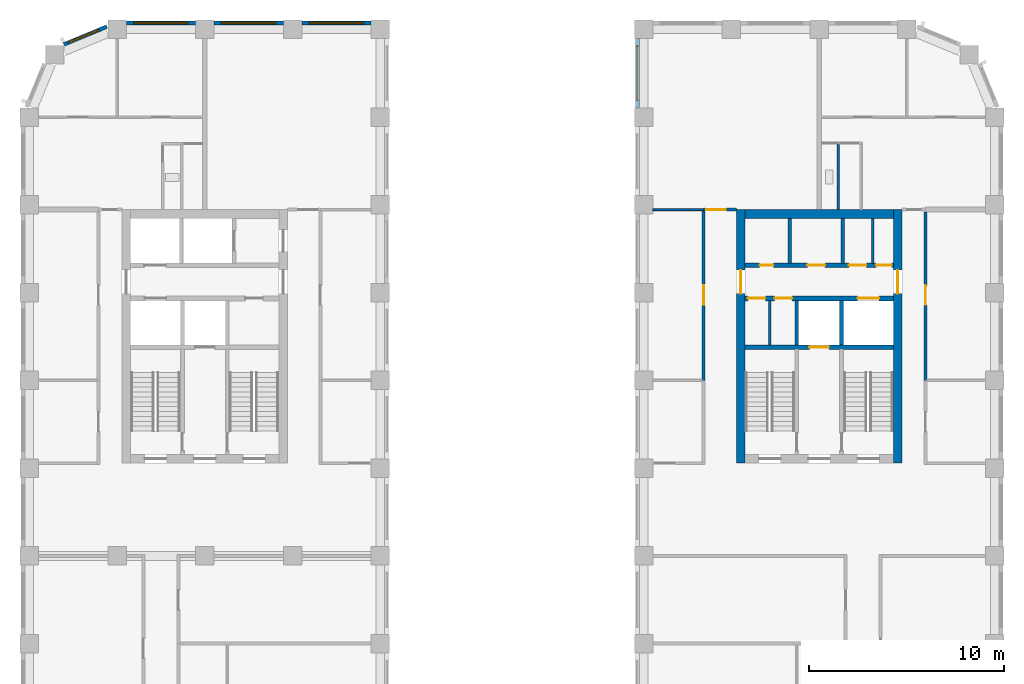
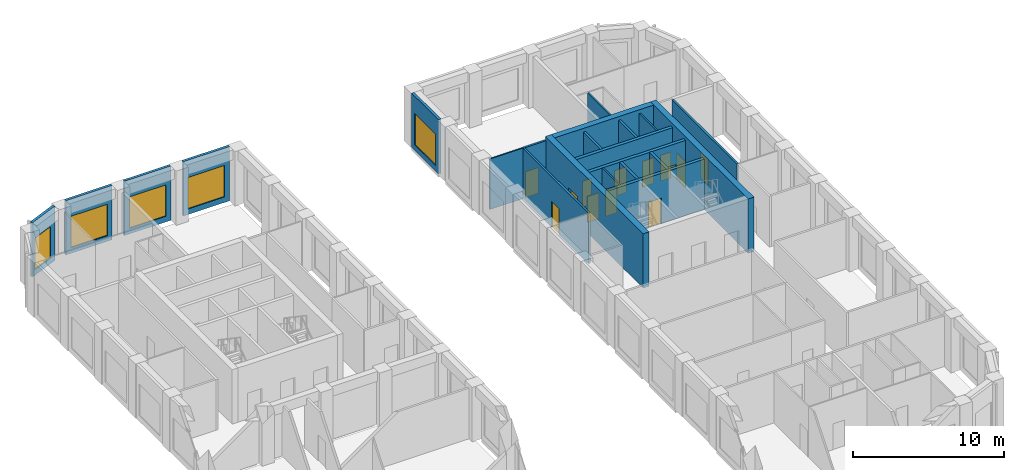
# One storey, part 8 of 13: 22 walls, 13 doors, 5 windows, 18 openings.
"""IFC4 building model written with IfcOpenShell, lengths in metres."""

from ifc_helpers import new_model, si_unit, direction, frame, frame_2d, origin, place, context, subcontext, project, spatial, rectangle, extrude, material, layer, layer_set, type_object, element, fill, save


model = new_model("IFC4")

# Units and contexts
model_context = context("Model", 3, precision=1e-05, world=origin(), true_north=direction((0.0, 1.0)))
body_context = subcontext(model_context, "Body", "Model", "MODEL_VIEW")
ifc_project = project(units=[si_unit("LENGTHUNIT", "METRE"), si_unit("AREAUNIT", "SQUARE_METRE"), si_unit("VOLUMEUNIT", "CUBIC_METRE"), si_unit("PLANEANGLEUNIT", "RADIAN"), si_unit("MASSUNIT", "GRAM", prefix="KILO")], contexts=[model_context])

# Site, building, storey
site_placement = place(None, origin())
site = spatial("IfcSite", under=ifc_project, at=site_placement, CompositionType="ELEMENT")
building_placement = place(site_placement, origin())
building = spatial("IfcBuilding", under=site, at=building_placement, Name="Girih Gate Residences", CompositionType="ELEMENT")
storey_placement = place(building_placement, frame((0.0, 0.0, 150.60009765625)))
storey = spatial("IfcBuildingStorey", under=building, at=storey_placement, Name="L42", CompositionType="ELEMENT", Elevation=150.60009765625)

# Wall, opening, door
ifc_material_1 = material(Name="Gypsum board on steel studs", Category="steel")
ifc_layer_1 = layer(ifc_material_1, 0.14990234375)
ifc_layer_set_1 = layer_set([ifc_layer_1], Name="Compartment wall 150 mm")
wall_type_1 = type_object("IfcWallType", Name="Compartment wall 150 mm", PredefinedType="PARTITIONING", material=ifc_layer_set_1)
wall_1_placement = place(storey_placement, frame((34.574951171875, 40.25, 0.0), z_axis=(0.0, 0.0, 1.0), x_axis=(1.0, 0.0, 0.0)))
wall_1 = element("IfcWall", 1, at=wall_1_placement, inside=storey, type_object=wall_type_1, Name="L42 partition", PredefinedType="PARTITIONING", context=body_context, shape_type="SweptSolid", body=[
    extrude(rectangle(XDim=1.675048828125, YDim=0.14990234375, at=frame_2d((0.83740234375, 0.0))), origin(), (0.0, 0.0, 1.0), 4.099853515625),
])
opening_1_placement = place(wall_1_placement, frame((0.1298828125, 0.0, 0.0)))
opening_1 = element("IfcOpeningElement", 2, at=opening_1_placement, cuts=wall_1, Name="Opening A42-033", PredefinedType="OPENING", context=body_context, shape_type="SweptSolid", body=[
    extrude(rectangle(XDim=1.0, YDim=2.10009765625, at=frame_2d((0.5, 1.050048828125))), frame((0.0, 0.0849609375, 0.0), z_axis=(0.0, -1.0, 0.0), x_axis=(1.0, 0.0, 0.0)), (0.0, 0.0, 1.0), 0.169921875),
])
ifc_material_2 = material(Name="Timber, fire-rated core", Category="wood")
door_type_1 = type_object("IfcDoorType", Name="Amenity room door 1000x2100 FD30S", OperationType="NOTDEFINED", PredefinedType="DOOR", material=ifc_material_2)
door_1_placement = place(opening_1_placement, origin())
door_1 = element("IfcDoor", 3, at=door_1_placement, inside=storey, type_object=door_type_1, Name="Door A42-033", OperationType="SINGLE_SWING_LEFT", OverallHeight=2.10009765625, OverallWidth=1.0, PredefinedType="DOOR", context=body_context, shape_type="SweptSolid", body=[
    extrude(rectangle(XDim=1.0, YDim=2.10009765625, at=frame_2d((0.5, 1.050048828125))), frame((0.0, 0.02490234375, 0.0), z_axis=(0.0, -1.0, 0.0), x_axis=(1.0, 0.0, 0.0)), (0.0, 0.0, 1.0), 0.050048828125),
])
fill(opening_1, door_1)

wall_2_placement = place(storey_placement, frame((34.574951171875, 31.5, 0.0), z_axis=(0.0, 0.0, 1.0), x_axis=(0.0, 1.0, 0.0)))
wall_2 = element("IfcWall", 4, at=wall_2_placement, inside=storey, type_object=wall_type_1, Name="L42 partition", PredefinedType="PARTITIONING", context=body_context, shape_type="SweptSolid", body=[
    extrude(rectangle(XDim=8.675048828125, YDim=0.14990234375, at=frame_2d((4.33740234375, 0.0))), origin(), (0.0, 0.0, 1.0), 4.099853515625),
])
opening_2_placement = place(wall_2_placement, frame((3.875, 0.0, 0.0)))
opening_2 = element("IfcOpeningElement", 5, at=opening_2_placement, cuts=wall_2, Name="Opening A42-036", PredefinedType="OPENING", context=body_context, shape_type="SweptSolid", body=[
    extrude(rectangle(XDim=1.0, YDim=2.10009765625, at=frame_2d((0.5, 1.050048828125))), frame((0.0, 0.0849609375, 0.0), z_axis=(0.0, -1.0, 0.0), x_axis=(1.0, 0.0, 0.0)), (0.0, 0.0, 1.0), 0.169921875),
])
door_2_placement = place(opening_2_placement, origin())
door_2 = element("IfcDoor", 6, at=door_2_placement, inside=storey, type_object=door_type_1, Name="Door A42-036", OperationType="SINGLE_SWING_RIGHT", OverallHeight=2.10009765625, OverallWidth=1.0, PredefinedType="DOOR", context=body_context, shape_type="SweptSolid", body=[
    extrude(rectangle(XDim=1.0, YDim=2.10009765625, at=frame_2d((0.5, 1.050048828125))), frame((0.0, 0.02490234375, 0.0), z_axis=(0.0, -1.0, 0.0), x_axis=(1.0, 0.0, 0.0)), (0.0, 0.0, 1.0), 0.050048828125),
])
fill(opening_2, door_2)

wall_3_placement = place(storey_placement, frame((45.949951171875, 40.125, 0.0), z_axis=(0.0, 0.0, 1.0), x_axis=(0.0, -1.0, 0.0)))
wall_3 = element("IfcWall", 7, at=wall_3_placement, inside=storey, type_object=wall_type_1, Name="L42 partition", PredefinedType="PARTITIONING", context=body_context, shape_type="SweptSolid", body=[
    extrude(rectangle(XDim=8.625, YDim=0.14990234375, at=frame_2d((4.3125, 0.0))), origin(), (0.0, 0.0, 1.0), 4.099853515625),
])
opening_3_placement = place(wall_3_placement, frame((3.75, 0.0, 0.0)))
opening_3 = element("IfcOpeningElement", 8, at=opening_3_placement, cuts=wall_3, Name="Opening A42-038", PredefinedType="OPENING", context=body_context, shape_type="SweptSolid", body=[
    extrude(rectangle(XDim=1.0, YDim=2.10009765625, at=frame_2d((0.5, 1.050048828125))), frame((0.0, 0.0849609375, 0.0), z_axis=(0.0, -1.0, 0.0), x_axis=(1.0, 0.0, 0.0)), (0.0, 0.0, 1.0), 0.169921875),
])
door_3_placement = place(opening_3_placement, origin())
door_3 = element("IfcDoor", 9, at=door_3_placement, inside=storey, type_object=door_type_1, Name="Door A42-038", OperationType="SINGLE_SWING_LEFT", OverallHeight=2.10009765625, OverallWidth=1.0, PredefinedType="DOOR", context=body_context, shape_type="SweptSolid", body=[
    extrude(rectangle(XDim=1.0, YDim=2.10009765625, at=frame_2d((0.5, 1.050048828125))), frame((0.0, 0.02490234375, 0.0), z_axis=(0.0, -1.0, 0.0), x_axis=(1.0, 0.0, 0.0)), (0.0, 0.0, 1.0), 0.050048828125),
])
fill(opening_3, door_3)

# Wall
ifc_material_3 = material(Name="Concrete C60/75", Category="concrete")
ifc_layer_2 = layer(ifc_material_3, 0.449951171875)
ifc_layer_set_2 = layer_set([ifc_layer_2], Name="Core wall RC 450 Concrete C60/75")
wall_type_2 = type_object("IfcWallType", Name="Core wall RC 450 Concrete C60/75", PredefinedType="SOLIDWALL", material=ifc_layer_set_2)
wall_4_placement = place(storey_placement, frame((36.699951171875, 40.02490234375, 0.0), z_axis=(0.0, 0.0, 1.0), x_axis=(1.0, 0.0, 0.0)))
element("IfcWall", 10, at=wall_4_placement, inside=storey, type_object=wall_type_2, Name="Core wall E-N L42", PredefinedType="SOLIDWALL", context=body_context, shape_type="SweptSolid", body=[
    extrude(rectangle(XDim=7.60009765625, YDim=0.449951171875, at=frame_2d((3.800048828125, 0.0))), origin(), (0.0, 0.0, 1.0), 4.39990234375),
])

# Wall, opening, door
wall_5_placement = place(storey_placement, frame((36.47509765625, 27.25, 0.0), z_axis=(0.0, 0.0, 1.0), x_axis=(0.0, 1.0, 0.0)))
wall_5 = element("IfcWall", 11, at=wall_5_placement, inside=storey, type_object=wall_type_2, Name="Core wall E-W L42", PredefinedType="SOLIDWALL", context=body_context, shape_type="SweptSolid", body=[
    extrude(rectangle(XDim=13.0, YDim=0.449951171875, at=frame_2d((6.5, 0.0))), origin(), (0.0, 0.0, 1.0), 4.39990234375),
])
opening_4_placement = place(wall_5_placement, frame((8.699951171875, 0.0, 0.0)))
opening_4 = element("IfcOpeningElement", 12, at=opening_4_placement, cuts=wall_5, Name="Opening D-L42-E-014", PredefinedType="OPENING", context=body_context, shape_type="SweptSolid", body=[
    extrude(rectangle(XDim=1.199951171875, YDim=2.10009765625, at=frame_2d((0.60009765625, 1.050048828125))), frame((0.0, 0.23486328125, 0.0), z_axis=(0.0, -1.0, 0.0), x_axis=(1.0, 0.0, 0.0)), (0.0, 0.0, 1.0), 0.469970703125),
])
ifc_material_4 = material(Name="Painted steel, fire-resisting", Category="steel")
door_type_2 = type_object("IfcDoorType", Name="Fire door 1200x2100", OperationType="SINGLE_SWING_LEFT", PredefinedType="DOOR", material=ifc_material_4)
door_4_placement = place(opening_4_placement, origin())
door_4 = element("IfcDoor", 13, at=door_4_placement, inside=storey, type_object=door_type_2, Name="L42 E core door ll-w", OperationType="SINGLE_SWING_LEFT", OverallHeight=2.10009765625, OverallWidth=1.199951171875, PredefinedType="DOOR", context=body_context, shape_type="SweptSolid", body=[
    extrude(rectangle(XDim=1.199951171875, YDim=2.10009765625, at=frame_2d((0.60009765625, 1.050048828125))), frame((0.0, 0.02490234375, 0.0), z_axis=(0.0, -1.0, 0.0), x_axis=(1.0, 0.0, 0.0)), (0.0, 0.0, 1.0), 0.050048828125),
])
fill(opening_4, door_4)

wall_6_placement = place(storey_placement, frame((44.52490234375, 27.25, 0.0), z_axis=(0.0, 0.0, 1.0), x_axis=(0.0, 1.0, 0.0)))
wall_6 = element("IfcWall", 14, at=wall_6_placement, inside=storey, type_object=wall_type_2, Name="Core wall E-E L42", PredefinedType="SOLIDWALL", context=body_context, shape_type="SweptSolid", body=[
    extrude(rectangle(XDim=13.0, YDim=0.449951171875, at=frame_2d((6.5, 0.0))), origin(), (0.0, 0.0, 1.0), 4.39990234375),
])
opening_5_placement = place(wall_6_placement, frame((8.699951171875, 0.0, 0.0)))
opening_5 = element("IfcOpeningElement", 15, at=opening_5_placement, cuts=wall_6, Name="Opening D-L42-E-015", PredefinedType="OPENING", context=body_context, shape_type="SweptSolid", body=[
    extrude(rectangle(XDim=1.199951171875, YDim=2.10009765625, at=frame_2d((0.60009765625, 1.050048828125))), frame((0.0, 0.23486328125, 0.0), z_axis=(0.0, -1.0, 0.0), x_axis=(1.0, 0.0, 0.0)), (0.0, 0.0, 1.0), 0.469970703125),
])
door_5_placement = place(opening_5_placement, origin())
door_5 = element("IfcDoor", 16, at=door_5_placement, inside=storey, type_object=door_type_2, Name="L42 E core door ll-e", OperationType="SINGLE_SWING_LEFT", OverallHeight=2.10009765625, OverallWidth=1.199951171875, PredefinedType="DOOR", context=body_context, shape_type="SweptSolid", body=[
    extrude(rectangle(XDim=1.199951171875, YDim=2.10009765625, at=frame_2d((0.60009765625, 1.050048828125))), frame((0.0, 0.02490234375, 0.0), z_axis=(0.0, -1.0, 0.0), x_axis=(1.0, 0.0, 0.0)), (0.0, 0.0, 1.0), 0.050048828125),
])
fill(opening_5, door_5)

ifc_material_5 = material(Name="Concrete C40/50", Category="concrete")
ifc_layer_3 = layer(ifc_material_5, 0.25)
ifc_layer_set_3 = layer_set([ifc_layer_3], Name="Lift shaft wall 250")
wall_type_3 = type_object("IfcWallType", Name="Lift shaft wall 250", PredefinedType="SOLIDWALL", material=ifc_layer_set_3)
wall_7_placement = place(storey_placement, frame((36.699951171875, 33.199951171875, 0.0), z_axis=(0.0, 0.0, 1.0), x_axis=(1.0, 0.0, 0.0)))
wall_7 = element("IfcWall", 17, at=wall_7_placement, inside=storey, type_object=wall_type_3, Name="L42 E core wall H1", PredefinedType="SOLIDWALL", context=body_context, shape_type="SweptSolid", body=[
    extrude(rectangle(XDim=7.60009765625, YDim=0.25, at=frame_2d((3.800048828125, 0.0))), origin(), (0.0, 0.0, 1.0), 4.099853515625),
])
opening_6_placement = place(wall_7_placement, frame((3.300048828125, 0.0, 0.0)))
opening_6 = element("IfcOpeningElement", 18, at=opening_6_placement, cuts=wall_7, Name="Opening D-L42-E-004", PredefinedType="OPENING", context=body_context, shape_type="SweptSolid", body=[
    extrude(rectangle(XDim=1.0, YDim=2.10009765625, at=frame_2d((0.5, 1.050048828125))), frame((0.0, 0.135009765625, 0.0), z_axis=(0.0, -1.0, 0.0), x_axis=(1.0, 0.0, 0.0)), (0.0, 0.0, 1.0), 0.27001953125),
])
ifc_material_6 = material(Name="Stainless steel, fire-resisting", Category="steel")
door_type_3 = type_object("IfcDoorType", Name="Firefighting lift landing door 1000x2100", OperationType="SLIDING_TO_LEFT", PredefinedType="DOOR", material=ifc_material_6)
door_6_placement = place(opening_6_placement, origin())
door_6 = element("IfcDoor", 19, at=door_6_placement, inside=storey, type_object=door_type_3, Name="L42 lift FF-E landing door", OperationType="SLIDING_TO_LEFT", OverallHeight=2.10009765625, OverallWidth=1.0, PredefinedType="DOOR", context=body_context, shape_type="SweptSolid", body=[
    extrude(rectangle(XDim=1.0, YDim=2.10009765625, at=frame_2d((0.5, 1.050048828125))), frame((0.0, 0.02490234375, 0.0), z_axis=(0.0, -1.0, 0.0), x_axis=(1.0, 0.0, 0.0)), (0.0, 0.0, 1.0), 0.050048828125),
])
fill(opening_6, door_6)

# Wall, openings, doors
wall_8_placement = place(storey_placement, frame((36.699951171875, 35.699951171875, 0.0), z_axis=(0.0, 0.0, 1.0), x_axis=(1.0, 0.0, 0.0)))
wall_8 = element("IfcWall", 20, at=wall_8_placement, inside=storey, type_object=wall_type_3, Name="L42 E core wall H2", PredefinedType="SOLIDWALL", context=body_context, shape_type="SweptSolid", body=[
    extrude(rectangle(XDim=7.60009765625, YDim=0.25, at=frame_2d((3.800048828125, 0.0))), origin(), (0.0, 0.0, 1.0), 4.099853515625),
])
opening_7_placement = place(wall_8_placement, frame((5.77490234375, 0.0, 0.0)))
opening_7 = element("IfcOpeningElement", 21, at=opening_7_placement, cuts=wall_8, Name="Opening D-L42-E-003", PredefinedType="OPENING", context=body_context, shape_type="SweptSolid", body=[
    extrude(rectangle(XDim=1.10009765625, YDim=2.39990234375, at=frame_2d((0.550048828125, 1.199951171875))), frame((0.0, 0.135009765625, 0.0), z_axis=(0.0, -1.0, 0.0), x_axis=(1.0, 0.0, 0.0)), (0.0, 0.0, 1.0), 0.27001953125),
])
opening_8_placement = place(wall_8_placement, frame((1.512451171875, 0.0, 0.0)))
opening_8 = element("IfcOpeningElement", 22, at=opening_8_placement, cuts=wall_8, Name="Opening D-L42-E-006", PredefinedType="OPENING", context=body_context, shape_type="SweptSolid", body=[
    extrude(rectangle(XDim=0.89990234375, YDim=2.10009765625, at=frame_2d((0.449951171875, 1.050048828125))), frame((0.0, 0.135009765625, 0.0), z_axis=(0.0, -1.0, 0.0), x_axis=(1.0, 0.0, 0.0)), (0.0, 0.0, 1.0), 0.27001953125),
])
opening_9_placement = place(wall_8_placement, frame((0.137451171875, 0.0, 0.0)))
opening_9 = element("IfcOpeningElement", 23, at=opening_9_placement, cuts=wall_8, Name="Opening D-L42-E-007", PredefinedType="OPENING", context=body_context, shape_type="SweptSolid", body=[
    extrude(rectangle(XDim=0.89990234375, YDim=2.10009765625, at=frame_2d((0.449951171875, 1.050048828125))), frame((0.0, 0.135009765625, 0.0), z_axis=(0.0, -1.0, 0.0), x_axis=(1.0, 0.0, 0.0)), (0.0, 0.0, 1.0), 0.27001953125),
])
door_type_4 = type_object("IfcDoorType", Name="Fire door 900x2100", OperationType="SINGLE_SWING_LEFT", PredefinedType="DOOR", material=ifc_material_4)
door_7_placement = place(opening_8_placement, origin())
door_7 = element("IfcDoor", 24, at=door_7_placement, inside=storey, type_object=door_type_4, Name="L42 E comms room door", OperationType="SINGLE_SWING_LEFT", OverallHeight=2.10009765625, OverallWidth=0.89990234375, PredefinedType="DOOR", context=body_context, shape_type="SweptSolid", body=[
    extrude(rectangle(XDim=0.89990234375, YDim=2.10009765625, at=frame_2d((0.449951171875, 1.050048828125))), frame((0.0, 0.02490234375, 0.0), z_axis=(0.0, -1.0, 0.0), x_axis=(1.0, 0.0, 0.0)), (0.0, 0.0, 1.0), 0.050048828125),
])
fill(opening_8, door_7)
door_8_placement = place(opening_9_placement, origin())
door_8 = element("IfcDoor", 25, at=door_8_placement, inside=storey, type_object=door_type_4, Name="L42 E it room door", OperationType="SINGLE_SWING_LEFT", OverallHeight=2.10009765625, OverallWidth=0.89990234375, PredefinedType="DOOR", context=body_context, shape_type="SweptSolid", body=[
    extrude(rectangle(XDim=0.89990234375, YDim=2.10009765625, at=frame_2d((0.449951171875, 1.050048828125))), frame((0.0, 0.02490234375, 0.0), z_axis=(0.0, -1.0, 0.0), x_axis=(1.0, 0.0, 0.0)), (0.0, 0.0, 1.0), 0.050048828125),
])
fill(opening_9, door_8)
ifc_material_7 = material(Name="Stainless steel", Category="steel")
door_type_5 = type_object("IfcDoorType", Name="Lift landing door 1100x2400", OperationType="SLIDING_TO_LEFT", PredefinedType="DOOR", material=ifc_material_7)
door_9_placement = place(opening_7_placement, origin())
door_9 = element("IfcDoor", 26, at=door_9_placement, inside=storey, type_object=door_type_5, Name="L42 lift HR-E1 landing door", OperationType="SLIDING_TO_LEFT", OverallHeight=2.39990234375, OverallWidth=1.10009765625, PredefinedType="DOOR", context=body_context, shape_type="SweptSolid", body=[
    extrude(rectangle(XDim=1.10009765625, YDim=2.39990234375, at=frame_2d((0.550048828125, 1.199951171875))), frame((0.0, 0.02490234375, 0.0), z_axis=(0.0, -1.0, 0.0), x_axis=(1.0, 0.0, 0.0)), (0.0, 0.0, 1.0), 0.050048828125),
])
fill(opening_7, door_9)

wall_9_placement = place(storey_placement, frame((36.699951171875, 37.39990234375, 0.0), z_axis=(0.0, 0.0, 1.0), x_axis=(1.0, 0.0, 0.0)))
wall_9 = element("IfcWall", 27, at=wall_9_placement, inside=storey, type_object=wall_type_3, Name="L42 E core wall H3", PredefinedType="SOLIDWALL", context=body_context, shape_type="SweptSolid", body=[
    extrude(rectangle(XDim=7.60009765625, YDim=0.25, at=frame_2d((3.800048828125, 0.0))), origin(), (0.0, 0.0, 1.0), 4.099853515625),
])
opening_10_placement = place(wall_9_placement, frame((0.75, 0.0, 0.0)))
opening_10 = element("IfcOpeningElement", 28, at=opening_10_placement, cuts=wall_9, Name="Opening D-L42-E-005", PredefinedType="OPENING", context=body_context, shape_type="SweptSolid", body=[
    extrude(rectangle(XDim=0.699951171875, YDim=2.10009765625, at=frame_2d((0.35009765625, 1.050048828125))), frame((0.0, 0.135009765625, 0.0), z_axis=(0.0, -1.0, 0.0), x_axis=(1.0, 0.0, 0.0)), (0.0, 0.0, 1.0), 0.27001953125),
])
opening_11_placement = place(wall_9_placement, frame((6.72509765625, 0.0, 0.0)))
opening_11 = element("IfcOpeningElement", 29, at=opening_11_placement, cuts=wall_9, Name="Opening D-L42-E-008", PredefinedType="OPENING", context=body_context, shape_type="SweptSolid", body=[
    extrude(rectangle(XDim=0.800048828125, YDim=2.10009765625, at=frame_2d((0.39990234375, 1.050048828125))), frame((0.0, 0.135009765625, 0.0), z_axis=(0.0, -1.0, 0.0), x_axis=(1.0, 0.0, 0.0)), (0.0, 0.0, 1.0), 0.27001953125),
])
opening_12_placement = place(wall_9_placement, frame((5.324951171875, 0.0, 0.0)))
opening_12 = element("IfcOpeningElement", 30, at=opening_12_placement, cuts=wall_9, Name="Opening D-L42-E-009", PredefinedType="OPENING", context=body_context, shape_type="SweptSolid", body=[
    extrude(rectangle(XDim=0.89990234375, YDim=2.10009765625, at=frame_2d((0.449951171875, 1.050048828125))), frame((0.0, 0.135009765625, 0.0), z_axis=(0.0, -1.0, 0.0), x_axis=(1.0, 0.0, 0.0)), (0.0, 0.0, 1.0), 0.27001953125),
])
opening_13_placement = place(wall_9_placement, frame((3.199951171875, 0.0, 0.0)))
opening_13 = element("IfcOpeningElement", 31, at=opening_13_placement, cuts=wall_9, Name="Opening D-L42-E-010", PredefinedType="OPENING", context=body_context, shape_type="SweptSolid", body=[
    extrude(rectangle(XDim=0.89990234375, YDim=2.10009765625, at=frame_2d((0.449951171875, 1.050048828125))), frame((0.0, 0.135009765625, 0.0), z_axis=(0.0, -1.0, 0.0), x_axis=(1.0, 0.0, 0.0)), (0.0, 0.0, 1.0), 0.27001953125),
])
door_type_6 = type_object("IfcDoorType", Name="Fire door 800x2100", OperationType="SINGLE_SWING_LEFT", PredefinedType="DOOR", material=ifc_material_4)
door_10_placement = place(opening_11_placement, origin())
door_10 = element("IfcDoor", 32, at=door_10_placement, inside=storey, type_object=door_type_6, Name="L42 E cleaners store door", OperationType="SINGLE_SWING_LEFT", OverallHeight=2.10009765625, OverallWidth=0.800048828125, PredefinedType="DOOR", context=body_context, shape_type="SweptSolid", body=[
    extrude(rectangle(XDim=0.800048828125, YDim=2.10009765625, at=frame_2d((0.39990234375, 1.050048828125))), frame((0.0, 0.02490234375, 0.0), z_axis=(0.0, -1.0, 0.0), x_axis=(1.0, 0.0, 0.0)), (0.0, 0.0, 1.0), 0.050048828125),
])
fill(opening_11, door_10)
door_11_placement = place(opening_12_placement, origin())
door_11 = element("IfcDoor", 33, at=door_11_placement, inside=storey, type_object=door_type_4, Name="L42 E riser room door", OperationType="SINGLE_SWING_LEFT", OverallHeight=2.10009765625, OverallWidth=0.89990234375, PredefinedType="DOOR", context=body_context, shape_type="SweptSolid", body=[
    extrude(rectangle(XDim=0.89990234375, YDim=2.10009765625, at=frame_2d((0.449951171875, 1.050048828125))), frame((0.0, 0.02490234375, 0.0), z_axis=(0.0, -1.0, 0.0), x_axis=(1.0, 0.0, 0.0)), (0.0, 0.0, 1.0), 0.050048828125),
])
fill(opening_12, door_11)
door_12_placement = place(opening_13_placement, origin())
door_12 = element("IfcDoor", 34, at=door_12_placement, inside=storey, type_object=door_type_4, Name="L42 E electrical room door", OperationType="SINGLE_SWING_LEFT", OverallHeight=2.10009765625, OverallWidth=0.89990234375, PredefinedType="DOOR", context=body_context, shape_type="SweptSolid", body=[
    extrude(rectangle(XDim=0.89990234375, YDim=2.10009765625, at=frame_2d((0.449951171875, 1.050048828125))), frame((0.0, 0.02490234375, 0.0), z_axis=(0.0, -1.0, 0.0), x_axis=(1.0, 0.0, 0.0)), (0.0, 0.0, 1.0), 0.050048828125),
])
fill(opening_13, door_12)
door_type_7 = type_object("IfcDoorType", Name="Riser access door 700x2100", OperationType="SINGLE_SWING_LEFT", PredefinedType="DOOR", material=ifc_material_4)
door_13_placement = place(opening_10_placement, origin())
door_13 = element("IfcDoor", 35, at=door_13_placement, inside=storey, type_object=door_type_7, Name="L42 E riser room door", OperationType="SINGLE_SWING_LEFT", OverallHeight=2.10009765625, OverallWidth=0.699951171875, PredefinedType="DOOR", context=body_context, shape_type="SweptSolid", body=[
    extrude(rectangle(XDim=0.699951171875, YDim=2.10009765625, at=frame_2d((0.35009765625, 1.050048828125))), frame((0.0, 0.02490234375, 0.0), z_axis=(0.0, -1.0, 0.0), x_axis=(1.0, 0.0, 0.0)), (0.0, 0.0, 1.0), 0.050048828125),
])
fill(opening_10, door_13)

# Wall
ifc_layer_4 = layer(ifc_material_1, 0.10009765625)
ifc_layer_set_4 = layer_set([ifc_layer_4], Name="Partition 100 mm")
wall_type_4 = type_object("IfcWallType", Name="Partition 100 mm", PredefinedType="PARTITIONING", material=ifc_layer_set_4)
wall_10_placement = place(storey_placement, frame((31.97509765625, 40.25, 0.0), z_axis=(0.0, 0.0, 1.0), x_axis=(1.0, 0.0, 0.0)))
element("IfcWall", 36, at=wall_10_placement, inside=storey, type_object=wall_type_4, Name="L42 partition", PredefinedType="PARTITIONING", context=body_context, shape_type="SweptSolid", body=[
    extrude(rectangle(XDim=2.599853515625, YDim=0.10009765625, at=frame_2d((1.2998046875, 0.0))), origin(), (0.0, 0.0, 1.0), 4.099853515625),
])

# Wall, opening, window
ifc_material_8 = material(Name="Precast concrete C50/60", Category="concrete")
ifc_layer_5 = layer(ifc_material_8, 0.06005859375, Name="Outer leaf")
ifc_material_9 = material(Name="Rigid PIR insulation")
ifc_layer_6 = layer(ifc_material_9, 0.090087890625, Name="Insulation")
ifc_material_10 = material(Name="Precast concrete C40/50", Category="concrete")
ifc_layer_7 = layer(ifc_material_10, 0.050048828125, Name="Inner leaf")
ifc_layer_set_5 = layer_set([ifc_layer_5, ifc_layer_6, ifc_layer_7], Name="Precast concrete C50/60 external wall 200")
wall_type_5 = type_object("IfcWallType", Name="Precast concrete C50/60 external wall 200", PredefinedType="SOLIDWALL", material=ifc_layer_set_5)
wall_11_placement = place(storey_placement, frame((13.97509765625, 49.824951171875, 0.0), z_axis=(0.0, 0.0, 1.0), x_axis=(1.0, 0.0, 0.0)))
wall_11 = element("IfcWall", 37, at=wall_11_placement, inside=storey, type_object=wall_type_5, Name="External wall N0180_0495.0", PredefinedType="SOLIDWALL", context=body_context, shape_type="SweptSolid", body=[
    extrude(rectangle(XDim=3.5498046875, YDim=0.199951171875, at=frame_2d((1.77490234375, 0.0))), origin(), (0.0, 0.0, 1.0), 4.39990234375),
])
opening_14_placement = place(wall_11_placement, frame((0.375, 0.0, 0.449951171875)))
opening_14 = element("IfcOpeningElement", 38, at=opening_14_placement, cuts=wall_11, Name="Opening W-6A", PredefinedType="OPENING", context=body_context, shape_type="SweptSolid", body=[
    extrude(rectangle(XDim=2.800048828125, YDim=2.550048828125, at=frame_2d((1.39990234375, 1.27490234375))), frame((0.0, 0.10986328125, 0.0), z_axis=(0.0, -1.0, 0.0), x_axis=(1.0, 0.0, 0.0)), (0.0, 0.0, 1.0), 0.219970703125),
])
ifc_material_11 = material(Name="Double glazing in aluminium frame", Category="aluminium")
window_type_1 = type_object("IfcWindowType", Name="Window W-6A 2800x2550", PartitioningType="SINGLE_PANEL", PredefinedType="WINDOW", material=ifc_material_11)
window_1_placement = place(opening_14_placement, origin())
window_1 = element("IfcWindow", 39, at=window_1_placement, inside=storey, type_object=window_type_1, Name="Window W-6A N0180_0495.0", OverallHeight=2.550048828125, OverallWidth=2.800048828125, PartitioningType="SINGLE_PANEL", PredefinedType="WINDOW", context=body_context, shape_type="SweptSolid", body=[
    extrude(rectangle(XDim=2.800048828125, YDim=2.550048828125, at=frame_2d((1.39990234375, 1.27490234375))), frame((0.0, 0.030029296875, 0.0), z_axis=(0.0, -1.0, 0.0), x_axis=(1.0, 0.0, 0.0)), (0.0, 0.0, 1.0), 0.06005859375),
])
fill(opening_14, window_1)

wall_12_placement = place(storey_placement, frame((9.47509765625, 49.824951171875, 0.0), z_axis=(0.0, 0.0, 1.0), x_axis=(1.0, 0.0, 0.0)))
wall_12 = element("IfcWall", 40, at=wall_12_placement, inside=storey, type_object=wall_type_5, Name="External wall N0180_0495.1", PredefinedType="SOLIDWALL", context=body_context, shape_type="SweptSolid", body=[
    extrude(rectangle(XDim=3.5498046875, YDim=0.199951171875, at=frame_2d((1.77490234375, 0.0))), origin(), (0.0, 0.0, 1.0), 4.39990234375),
])
opening_15_placement = place(wall_12_placement, frame((0.375, 0.0, 0.449951171875)))
opening_15 = element("IfcOpeningElement", 41, at=opening_15_placement, cuts=wall_12, Name="Opening W-6A", PredefinedType="OPENING", context=body_context, shape_type="SweptSolid", body=[
    extrude(rectangle(XDim=2.800048828125, YDim=2.550048828125, at=frame_2d((1.39990234375, 1.27490234375))), frame((0.0, 0.10986328125, 0.0), z_axis=(0.0, -1.0, 0.0), x_axis=(1.0, 0.0, 0.0)), (0.0, 0.0, 1.0), 0.219970703125),
])
window_2_placement = place(opening_15_placement, origin())
window_2 = element("IfcWindow", 42, at=window_2_placement, inside=storey, type_object=window_type_1, Name="Window W-6A N0180_0495.1", OverallHeight=2.550048828125, OverallWidth=2.800048828125, PartitioningType="SINGLE_PANEL", PredefinedType="WINDOW", context=body_context, shape_type="SweptSolid", body=[
    extrude(rectangle(XDim=2.800048828125, YDim=2.550048828125, at=frame_2d((1.39990234375, 1.27490234375))), frame((0.0, 0.030029296875, 0.0), z_axis=(0.0, -1.0, 0.0), x_axis=(1.0, 0.0, 0.0)), (0.0, 0.0, 1.0), 0.06005859375),
])
fill(opening_15, window_2)

wall_13_placement = place(storey_placement, frame((4.97509765625, 49.824951171875, 0.0), z_axis=(0.0, 0.0, 1.0), x_axis=(1.0, 0.0, 0.0)))
wall_13 = element("IfcWall", 43, at=wall_13_placement, inside=storey, type_object=wall_type_5, Name="External wall N0180_0495.2", PredefinedType="SOLIDWALL", context=body_context, shape_type="SweptSolid", body=[
    extrude(rectangle(XDim=3.5498046875, YDim=0.199951171875, at=frame_2d((1.77490234375, 0.0))), origin(), (0.0, 0.0, 1.0), 4.39990234375),
])
opening_16_placement = place(wall_13_placement, frame((0.375, 0.0, 0.449951171875)))
opening_16 = element("IfcOpeningElement", 44, at=opening_16_placement, cuts=wall_13, Name="Opening W-6A", PredefinedType="OPENING", context=body_context, shape_type="SweptSolid", body=[
    extrude(rectangle(XDim=2.800048828125, YDim=2.550048828125, at=frame_2d((1.39990234375, 1.27490234375))), frame((0.0, 0.10986328125, 0.0), z_axis=(0.0, -1.0, 0.0), x_axis=(1.0, 0.0, 0.0)), (0.0, 0.0, 1.0), 0.219970703125),
])
window_3_placement = place(opening_16_placement, origin())
window_3 = element("IfcWindow", 45, at=window_3_placement, inside=storey, type_object=window_type_1, Name="Window W-6A N0180_0495.2", OverallHeight=2.550048828125, OverallWidth=2.800048828125, PartitioningType="SINGLE_PANEL", PredefinedType="WINDOW", context=body_context, shape_type="SweptSolid", body=[
    extrude(rectangle(XDim=2.800048828125, YDim=2.550048828125, at=frame_2d((1.39990234375, 1.27490234375))), frame((0.0, 0.030029296875, 0.0), z_axis=(0.0, -1.0, 0.0), x_axis=(1.0, 0.0, 0.0)), (0.0, 0.0, 1.0), 0.06005859375),
])
fill(opening_16, window_3)

wall_14_placement = place(storey_placement, frame((1.76708984375, 48.7197265625, 0.0), z_axis=(0.0, 0.0, 1.0), x_axis=(0.923880599843, 0.382680855588, 0.0)))
wall_14 = element("IfcWall", 46, at=wall_14_placement, inside=storey, type_object=wall_type_5, Name="External wall NW0045_0495.0", PredefinedType="SOLIDWALL", context=body_context, shape_type="SweptSolid", body=[
    extrude(rectangle(XDim=2.402587890625, YDim=0.199951171875, at=frame_2d((1.201171875, 0.0))), origin(), (0.0, 0.0, 1.0), 4.39990234375),
])
opening_17_placement = place(wall_14_placement, frame((0.25146484375, 0.0, 0.449951171875)))
opening_17 = element("IfcOpeningElement", 47, at=opening_17_placement, cuts=wall_14, Name="Opening W-2F", PredefinedType="OPENING", context=body_context, shape_type="SweptSolid", body=[
    extrude(rectangle(XDim=1.699951171875, YDim=2.550048828125, at=frame_2d((0.85009765625, 1.27490234375))), frame((0.0, 0.10986328125, 0.0), z_axis=(0.0, -1.0, 0.0), x_axis=(1.0, 0.0, 0.0)), (0.0, 0.0, 1.0), 0.219970703125),
])
window_type_2 = type_object("IfcWindowType", Name="Window W-2F 1700x2550", PartitioningType="SINGLE_PANEL", PredefinedType="WINDOW", material=ifc_material_11)
window_4_placement = place(opening_17_placement, origin())
window_4 = element("IfcWindow", 48, at=window_4_placement, inside=storey, type_object=window_type_2, Name="Window W-2F NW0045_0495.0", OverallHeight=2.550048828125, OverallWidth=1.699951171875, PartitioningType="SINGLE_PANEL", PredefinedType="WINDOW", context=body_context, shape_type="SweptSolid", body=[
    extrude(rectangle(XDim=1.699951171875, YDim=2.550048828125, at=frame_2d((0.85009765625, 1.27490234375))), frame((0.0, 0.030029296875, 0.0), z_axis=(0.0, -1.0, 0.0), x_axis=(1.0, 0.0, 0.0)), (0.0, 0.0, 1.0), 0.06005859375),
])
fill(opening_17, window_4)

wall_15_placement = place(storey_placement, frame((31.175048828125, 45.47509765625, 0.0), z_axis=(0.0, 0.0, 1.0), x_axis=(0.0, 1.0, 0.0)))
wall_15 = element("IfcWall", 49, at=wall_15_placement, inside=storey, type_object=wall_type_5, Name="External wall W0315_0495.0", PredefinedType="SOLIDWALL", context=body_context, shape_type="SweptSolid", body=[
    extrude(rectangle(XDim=3.5498046875, YDim=0.199951171875, at=frame_2d((1.77490234375, 0.0))), origin(), (0.0, 0.0, 1.0), 4.39990234375),
])
opening_18_placement = place(wall_15_placement, frame((0.375, 0.0, 0.449951171875)))
opening_18 = element("IfcOpeningElement", 50, at=opening_18_placement, cuts=wall_15, Name="Opening W-6A", PredefinedType="OPENING", context=body_context, shape_type="SweptSolid", body=[
    extrude(rectangle(XDim=2.800048828125, YDim=2.550048828125, at=frame_2d((1.39990234375, 1.27490234375))), frame((0.0, 0.10986328125, 0.0), z_axis=(0.0, -1.0, 0.0), x_axis=(1.0, 0.0, 0.0)), (0.0, 0.0, 1.0), 0.219970703125),
])
window_5_placement = place(opening_18_placement, origin())
window_5 = element("IfcWindow", 51, at=window_5_placement, inside=storey, type_object=window_type_1, Name="Window W-6A W0315_0495.0", OverallHeight=2.550048828125, OverallWidth=2.800048828125, PartitioningType="SINGLE_PANEL", PredefinedType="WINDOW", context=body_context, shape_type="SweptSolid", body=[
    extrude(rectangle(XDim=2.800048828125, YDim=2.550048828125, at=frame_2d((1.39990234375, 1.27490234375))), frame((0.0, 0.030029296875, 0.0), z_axis=(0.0, -1.0, 0.0), x_axis=(1.0, 0.0, 0.0)), (0.0, 0.0, 1.0), 0.06005859375),
])
fill(opening_18, window_5)

# Walls
ifc_layer_8 = layer(ifc_material_5, 0.175048828125)
ifc_layer_set_6 = layer_set([ifc_layer_8], Name="Riser shaft wall 175")
wall_type_6 = type_object("IfcWallType", Name="Riser shaft wall 175", PredefinedType="SOLIDWALL", material=ifc_layer_set_6)
for number, where, z_axis, x_axis, name in (
    (52, (41.699951171875, 37.5, 0.0), (0.0, 0.0, 1.0), (0.0, 1.0, 0.0), "L42 E core wall V1c"),
    (53, (39.0, 37.5, 0.0), (0.0, 0.0, 1.0), (0.0, 1.0, 0.0), "L42 E core wall V2c"),
):
    element("IfcWall", number, at=place(storey_placement, frame(where, z_axis=z_axis, x_axis=x_axis)), inside=storey, type_object=wall_type_6, Name=name, PredefinedType="SOLIDWALL", context=body_context, shape_type="SweptSolid", body=[
        extrude(rectangle(XDim=2.300048828125, YDim=0.175048828125, at=frame_2d((1.14990234375, 0.0))), origin(), (0.0, 0.0, 1.0), 4.099853515625),
    ])
ifc_layer_9 = layer(ifc_material_5, 0.199951171875)
ifc_layer_set_7 = layer_set([ifc_layer_9], Name="Shaft wall 200")
wall_type_7 = type_object("IfcWallType", Name="Shaft wall 200", PredefinedType="SOLIDWALL", material=ifc_layer_set_7)
for number, where, z_axis, x_axis, name in (
    (54, (41.64990234375, 33.300048828125, 0.0), (0.0, 0.0, 1.0), (0.0, 1.0, 0.0), "L42 E core wall V1b"),
    (55, (39.35009765625, 33.300048828125, 0.0), (0.0, 0.0, 1.0), (0.0, 1.0, 0.0), "L42 E core wall V2b"),
):
    element("IfcWall", number, at=place(storey_placement, frame(where, z_axis=z_axis, x_axis=x_axis)), inside=storey, type_object=wall_type_7, Name=name, PredefinedType="SOLIDWALL", context=body_context, shape_type="SweptSolid", body=[
        extrude(rectangle(XDim=2.300048828125, YDim=0.199951171875, at=frame_2d((1.14990234375, 0.0))), origin(), (0.0, 0.0, 1.0), 4.099853515625),
    ])
ifc_material_12 = material(Name="Calcium silicate blockwork", Category="masonry")
ifc_layer_10 = layer(ifc_material_12, 0.125)
ifc_layer_set_8 = layer_set([ifc_layer_10], Name="Store partition 125")
wall_type_8 = type_object("IfcWallType", Name="Store partition 125", PredefinedType="PARTITIONING", material=ifc_layer_set_8)
for number, where, z_axis, x_axis, name in (
    (56, (37.97509765625, 33.300048828125, 0.0), (0.0, 0.0, 1.0), (0.0, 1.0, 0.0), "L42 E core wall SHR2"),
    (57, (43.25, 37.5, 0.0), (0.0, 0.0, 1.0), (0.0, 1.0, 0.0), "L42 E core wall SLR1"),
):
    element("IfcWall", number, at=place(storey_placement, frame(where, z_axis=z_axis, x_axis=x_axis)), inside=storey, type_object=wall_type_8, Name=name, PredefinedType="PARTITIONING", context=body_context, shape_type="SweptSolid", body=[
        extrude(rectangle(XDim=2.300048828125, YDim=0.125, at=frame_2d((1.14990234375, 0.0))), origin(), (0.0, 0.0, 1.0), 4.099853515625),
    ])
ifc_layer_11 = layer(ifc_material_1, 0.125)
ifc_layer_set_9 = layer_set([ifc_layer_11], Name="Wet room wall 125 mm")
wall_type_9 = type_object("IfcWallType", Name="Wet room wall 125 mm", PredefinedType="PARTITIONING", material=ifc_layer_set_9)
wall_16_placement = place(storey_placement, frame((41.47705078125, 40.25, 0.0), z_axis=(0.0, 0.0, 1.0), x_axis=(0.0, 1.0, 0.0)))
element("IfcWall", 58, at=wall_16_placement, inside=storey, type_object=wall_type_9, Name="L42 partition", PredefinedType="PARTITIONING", context=body_context, shape_type="SweptSolid", body=[
    extrude(rectangle(XDim=3.347412109375, YDim=0.125, at=frame_2d((1.673828125, 0.0))), origin(), (0.0, 0.0, 1.0), 4.099853515625),
])

save(model, "model.ifc")
